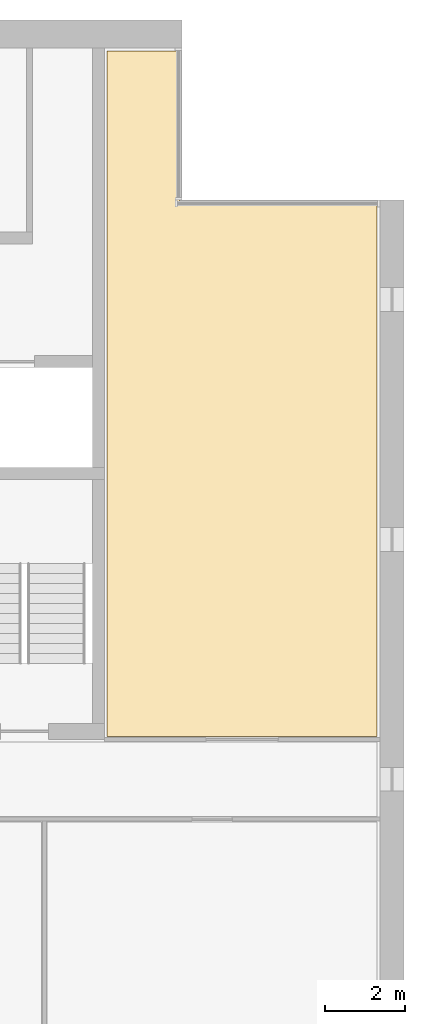
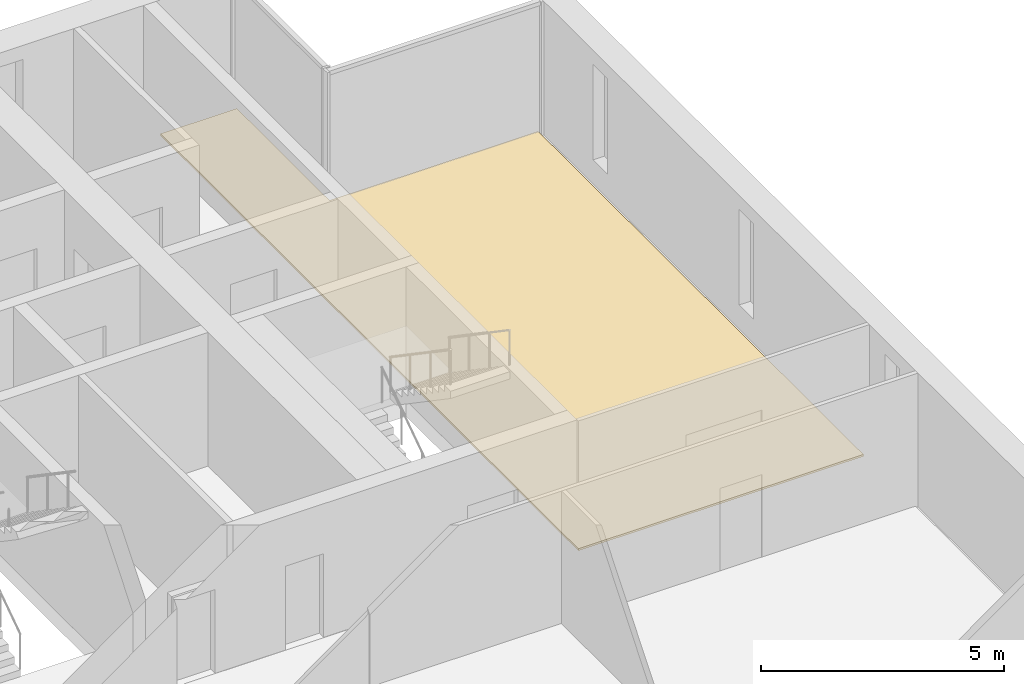
# One storey, part 17 of 17: 1 covering.
"""IFC4 building model written with IfcOpenShell, lengths in metres."""

from ifc_helpers import new_model, si_unit, direction, frame, origin, place, context, subcontext, project, spatial, polyline, outline, extrude, material, layer, layer_set, type_object, element, save


model = new_model("IFC4")

# Units and contexts
model_context = context("Model", 3, precision=1e-05, world=origin(), true_north=direction((0.0, 1.0)))
body_context = subcontext(model_context, "Body", "Model", "MODEL_VIEW")
ifc_project = project(units=[si_unit("LENGTHUNIT", "METRE"), si_unit("AREAUNIT", "SQUARE_METRE"), si_unit("VOLUMEUNIT", "CUBIC_METRE"), si_unit("PLANEANGLEUNIT", "RADIAN"), si_unit("MASSUNIT", "GRAM", prefix="KILO")], contexts=[model_context])

# Site, building, storey
site_placement = place(None, origin())
site = spatial("IfcSite", under=ifc_project, at=site_placement, CompositionType="ELEMENT")
building_placement = place(site_placement, origin())
building = spatial("IfcBuilding", under=site, at=building_placement, Name="Calvaro Tower", CompositionType="ELEMENT")
storey_placement = place(building_placement, frame((0.0, 0.0, 189.25)))
storey = spatial("IfcBuildingStorey", under=building, at=storey_placement, Name="L47", CompositionType="ELEMENT", Elevation=189.25)

# Covering
ifc_material = material(Name="Cement screed with carpet tile finish")
ifc_layer = layer(ifc_material, 0.050048828125)
ifc_layer_set = layer_set([ifc_layer], Name="Cement screed with carpet tile finish")
covering_type = type_object("IfcCoveringType", Name="Floor finish 50", PredefinedType="FLOORING", material=ifc_layer_set)
covering_placement = place(storey_placement, origin())
element("IfcCovering", 1, at=covering_placement, inside=storey, type_object=covering_type, Name="Floor finish 27.16", PredefinedType="FLOORING", context=body_context, shape_type="SweptSolid", body=[
    extrude(outline(polyline([(71.330078125, 28.070068359375), (64.570068359375, 28.070068359375), (64.570068359375, 45.22998046875), (66.3798828125, 45.22998046875), (66.3798828125, 41.429931640625), (71.330078125, 41.429931640625), (71.330078125, 28.070068359375)])), origin(), (0.0, 0.0, 1.0), 0.050048828125),
])

save(model, "model.ifc")
